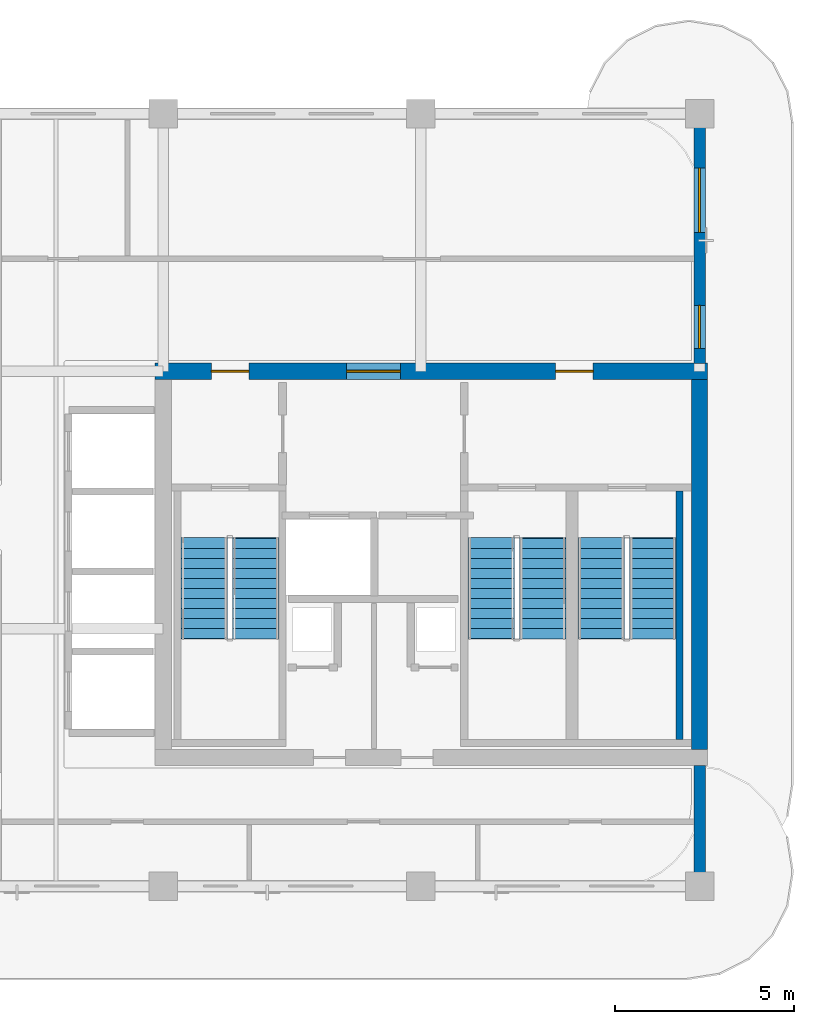
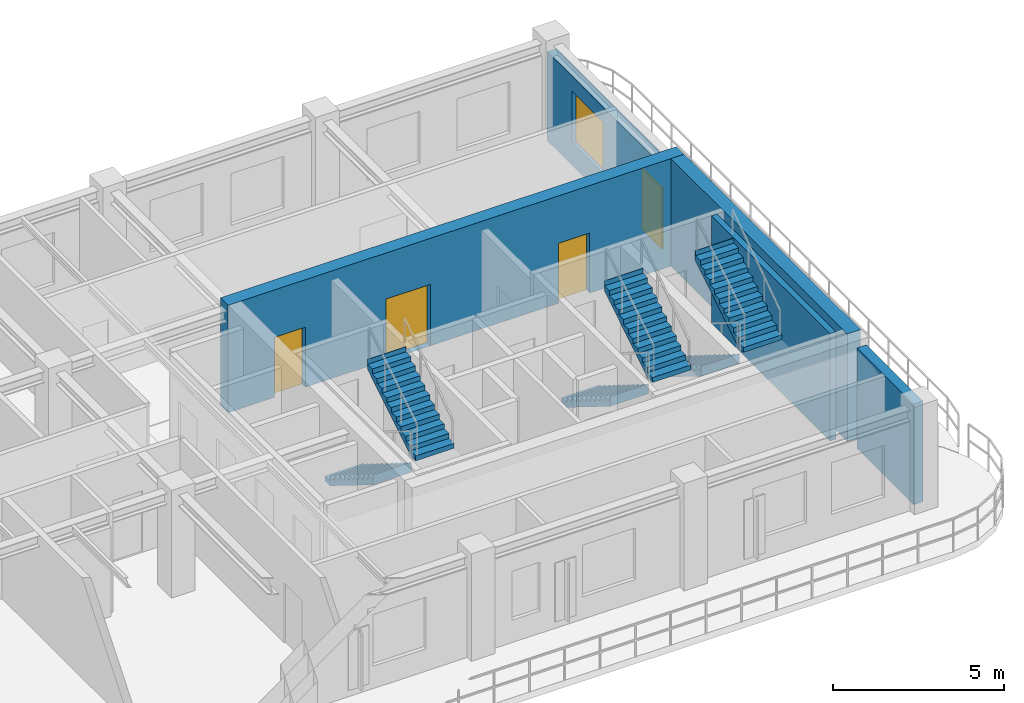
# One storey, part 5 of 8: 6 stair flights, 5 walls, 4 doors, 1 window, 5 openings, 3 elements without a shape of their own.
"""IFC4 building model written with IfcOpenShell, lengths in metres."""

from ifc_helpers import new_model, si_unit, derived_unit, direction, frame, frame_2d, origin, place, context, subcontext, project, spatial, polyline, rectangle, outline, extrude, source, transform, mapped, material, layer, layer_set, type_object, type_shapes, element, fill, aggregate, save


model = new_model("IFC4")

# Units and contexts
model_context = context("Model", 3, precision=1e-05, world=origin(), true_north=direction((0.0, 1.0)))
body_context = subcontext(model_context, "Body", "Model", "MODEL_VIEW")
ifc_project = project(units=[si_unit("LENGTHUNIT", "METRE"), si_unit("AREAUNIT", "SQUARE_METRE"), si_unit("VOLUMEUNIT", "CUBIC_METRE"), si_unit("PLANEANGLEUNIT", "RADIAN"), si_unit("MASSUNIT", "GRAM", prefix="KILO"), si_unit("THERMODYNAMICTEMPERATUREUNIT", "KELVIN"), si_unit("POWERUNIT", "WATT"), derived_unit("THERMALTRANSMITTANCEUNIT", [(si_unit("POWERUNIT", "WATT"), 1), (si_unit("AREAUNIT", "SQUARE_METRE"), -1), (si_unit("THERMODYNAMICTEMPERATUREUNIT", "KELVIN"), -1)])], contexts=[model_context])

# Site, building, storey
site_placement = place(None, origin())
site = spatial("IfcSite", under=ifc_project, at=site_placement, CompositionType="ELEMENT")
building_placement = place(site_placement, origin())
building = spatial("IfcBuilding", under=site, at=building_placement, Name="Zahravan Archway Hotel and Residences", CompositionType="ELEMENT")
storey_placement = place(building_placement, frame((0.0, 0.0, 263.5)))
storey = spatial("IfcBuildingStorey", under=building, at=storey_placement, Name="L66", CompositionType="ELEMENT", Elevation=263.5)

# Wall, openings, doors
ifc_material_1 = material(Name="Concrete C50/60", Category="concrete")
ifc_layer_1 = layer(ifc_material_1, 0.449951171875, Name="Concrete C50/60", Category="concrete")
ifc_layer_set_1 = layer_set([ifc_layer_1], Name="Concrete C50/60")
wall_type_1 = type_object("IfcWallType", Name="CW-CORE-450", PredefinedType="SHEAR", material=ifc_layer_set_1)
wall_1_placement = place(storey_placement, frame((34.574951171875, 14.39990234375, 0.0), z_axis=(0.0, 0.0, 1.0), x_axis=(1.0, 0.0, 0.0)))
wall_1 = element("IfcWall", 1, at=wall_1_placement, inside=storey, type_object=wall_type_1, Name="L66 Core A Shear N Wall 450 mm", PredefinedType="SHEAR", context=body_context, shape_type="SweptSolid", body=[
    extrude(rectangle(XDim=15.449951171875, YDim=0.449951171875, at=frame_2d((7.72509765625, 0.0))), origin(), (0.0, 0.0, 1.0), 3.85009765625),
])
opening_1_placement = place(wall_1_placement, frame((5.35498046875, 0.0, 0.0)))
opening_1 = element("IfcOpeningElement", 2, at=opening_1_placement, cuts=wall_1, Name="Opening FD-L1", PredefinedType="OPENING", context=body_context, shape_type="SweptSolid", body=[
    extrude(rectangle(XDim=1.5, YDim=2.199951171875, at=frame_2d((0.75, 1.10009765625))), frame((0.0, 0.23486328125, 0.0), z_axis=(0.0, -1.0, 0.0), x_axis=(1.0, 0.0, 0.0)), (0.0, 0.0, 1.0), 0.469970703125),
])
opening_2_placement = place(wall_1_placement, frame((1.570068359375, 0.0, 0.0)))
opening_2 = element("IfcOpeningElement", 3, at=opening_2_placement, cuts=wall_1, Name="Opening FD-L2", PredefinedType="OPENING", context=body_context, shape_type="SweptSolid", body=[
    extrude(rectangle(XDim=1.050048828125, YDim=2.14990234375, at=frame_2d((0.52490234375, 1.074951171875))), frame((0.0, 0.23486328125, 0.0), z_axis=(0.0, -1.0, 0.0), x_axis=(1.0, 0.0, 0.0)), (0.0, 0.0, 1.0), 0.469970703125),
])
opening_3_placement = place(wall_1_placement, frame((11.199951171875, 0.0, 0.0)))
opening_3 = element("IfcOpeningElement", 4, at=opening_3_placement, cuts=wall_1, Name="Opening FD-L2", PredefinedType="OPENING", context=body_context, shape_type="SweptSolid", body=[
    extrude(rectangle(XDim=1.050048828125, YDim=2.14990234375, at=frame_2d((0.52490234375, 1.074951171875))), frame((0.0, 0.23486328125, 0.0), z_axis=(0.0, -1.0, 0.0), x_axis=(1.0, 0.0, 0.0)), (0.0, 0.0, 1.0), 0.469970703125),
])
ifc_material_2 = material(Name="Fire-Rated Painted Steel", Category="steel")
door_type_1 = type_object("IfcDoorType", Name="FD-LOBBY-1100", OperationType="NOTDEFINED", PredefinedType="DOOR", material=ifc_material_2)
shared_shape_1 = source(origin(), body_context, "Body", "SweptSolid", [
    extrude(rectangle(XDim=1.050048828125, YDim=2.14990234375, at=frame_2d((0.52490234375, 1.074951171875))), frame((0.0, 0.02490234375, 0.0), z_axis=(0.0, -1.0, 0.0), x_axis=(1.0, 0.0, 0.0)), (0.0, 0.0, 1.0), 0.050048828125),
])
type_shapes(door_type_1, [shared_shape_1])
door_1_placement = place(opening_2_placement, origin())
door_1 = element("IfcDoor", 5, at=door_1_placement, inside=storey, type_object=door_type_1, Name="L66 Core A West Stair Lobby Door", OperationType="SINGLE_SWING_RIGHT", OverallHeight=2.14990234375, OverallWidth=1.050048828125, PredefinedType="DOOR", context=body_context, shape_type="MappedRepresentation", body=[
    mapped(shared_shape_1, transform((0.0, 0.0, 0.0), scale=1.0)),
])
fill(opening_2, door_1)
door_2_placement = place(opening_3_placement, origin())
door_2 = element("IfcDoor", 6, at=door_2_placement, inside=storey, type_object=door_type_1, Name="L66 Core A East Stair Lobby Door", OperationType="SINGLE_SWING_LEFT", OverallHeight=2.14990234375, OverallWidth=1.050048828125, PredefinedType="DOOR", context=body_context, shape_type="MappedRepresentation", body=[
    mapped(shared_shape_1, transform((0.0, 0.0, 0.0), scale=1.0)),
])
fill(opening_3, door_2)
door_type_2 = type_object("IfcDoorType", Name="FD-LOBBY-1500", OperationType="DOUBLE_DOOR_SINGLE_SWING", PredefinedType="DOOR", material=ifc_material_2)
shared_shape_2 = source(origin(), body_context, "Body", "SweptSolid", [
    extrude(rectangle(XDim=1.5, YDim=2.199951171875, at=frame_2d((0.75, 1.10009765625))), frame((0.0, 0.02490234375, 0.0), z_axis=(0.0, -1.0, 0.0), x_axis=(1.0, 0.0, 0.0)), (0.0, 0.0, 1.0), 0.050048828125),
])
type_shapes(door_type_2, [shared_shape_2])
door_3_placement = place(opening_1_placement, origin())
door_3 = element("IfcDoor", 7, at=door_3_placement, inside=storey, type_object=door_type_2, Name="L66 Core A FSAE Lobby Main Door", OperationType="DOUBLE_DOOR_SINGLE_SWING", OverallHeight=2.199951171875, OverallWidth=1.5, PredefinedType="DOOR", context=body_context, shape_type="MappedRepresentation", body=[
    mapped(shared_shape_2, transform((0.0, 0.0, 0.0), scale=1.0)),
])
fill(opening_1, door_3)

# Walls
wall_2_placement = place(storey_placement, frame((49.800048828125, 3.824951171875, 0.0), z_axis=(0.0, 0.0, 1.0), x_axis=(0.0, 1.0, 0.0)))
element("IfcWall", 8, at=wall_2_placement, inside=storey, type_object=wall_type_1, Name="L66 Core A Shear E Wall 450 mm", PredefinedType="SHEAR", context=body_context, shape_type="SweptSolid", body=[
    extrude(rectangle(XDim=10.35009765625, YDim=0.449951171875, at=frame_2d((5.175048828125, 0.0))), origin(), (0.0, 0.0, 1.0), 3.85009765625),
])
ifc_material_3 = material(Name="Agra Buff Sandstone & Insulated Backup", Category="masonry")
ifc_layer_2 = layer(ifc_material_3, 0.320068359375, Name="Agra Buff Sandstone & Insulated Backup", Category="masonry")
ifc_layer_set_2 = layer_set([ifc_layer_2], Name="Agra Buff Sandstone & Insulated Backup")
wall_type_2 = type_object("IfcWallType", Name="EW-SAND-320", PredefinedType="SOLIDWALL", material=ifc_layer_set_2)
wall_3_placement = place(storey_placement, frame((49.800048828125, 0.050048828125, 0.0), z_axis=(0.0, 0.0, 1.0), x_axis=(0.0, 1.0, 0.0)))
element("IfcWall", 9, at=wall_3_placement, inside=storey, type_object=wall_type_2, Name="L66 Exterior Sandstone Wall WA-ES", PredefinedType="SOLIDWALL", context=body_context, shape_type="SweptSolid", body=[
    extrude(rectangle(XDim=3.329833984375, YDim=0.320068359375, at=frame_2d((1.6650390625, 0.0))), origin(), (0.0, 0.0, 1.0), 3.60009765625),
])

# Wall, openings, door, window
wall_4_placement = place(storey_placement, frame((49.800048828125, 14.6201171875, 0.0), z_axis=(0.0, 0.0, 1.0), x_axis=(0.0, 1.0, 0.0)))
wall_4 = element("IfcWall", 10, at=wall_4_placement, inside=storey, type_object=wall_type_2, Name="L66 Exterior Sandstone Wall WA-EN", PredefinedType="SOLIDWALL", context=body_context, shape_type="SweptSolid", body=[
    extrude(rectangle(XDim=6.929931640625, YDim=0.320068359375, at=frame_2d((3.46484375, 0.0))), origin(), (0.0, 0.0, 1.0), 3.18505859375),
])
opening_4_placement = place(wall_4_placement, frame((0.419921875, 0.0, 0.0)))
opening_4 = element("IfcOpeningElement", 11, at=opening_4_placement, cuts=wall_4, Name="Opening ED-BL1", PredefinedType="OPENING", context=body_context, shape_type="SweptSolid", body=[
    extrude(rectangle(XDim=1.199951171875, YDim=2.199951171875, at=frame_2d((0.60009765625, 1.10009765625))), frame((0.0, 0.169921875, 0.0), z_axis=(0.0, -1.0, 0.0), x_axis=(1.0, 0.0, 0.0)), (0.0, 0.0, 1.0), 0.340087890625),
])
opening_5_placement = place(wall_4_placement, frame((3.658935546875, 0.0, 0.800048828125)))
opening_5 = element("IfcOpeningElement", 12, at=opening_5_placement, cuts=wall_4, Name="Opening W-02", PredefinedType="OPENING", context=body_context, shape_type="SweptSolid", body=[
    extrude(rectangle(XDim=1.800048828125, YDim=1.85009765625, at=frame_2d((0.89990234375, 0.925048828125))), frame((0.0, 0.169921875, 0.0), z_axis=(0.0, -1.0, 0.0), x_axis=(1.0, 0.0, 0.0)), (0.0, 0.0, 1.0), 0.340087890625),
])
ifc_material_4 = material(Name="Bronze-Anodized Glazed Aluminium", Category="aluminium")
door_type_3 = type_object("IfcDoorType", Name="ED-BALC-1200", OperationType="SLIDING_TO_LEFT", PredefinedType="DOOR", material=ifc_material_4)
shared_shape_3 = source(origin(), body_context, "Body", "SweptSolid", [
    extrude(rectangle(XDim=1.199951171875, YDim=2.199951171875, at=frame_2d((0.60009765625, 1.10009765625))), frame((0.0, 0.02490234375, 0.0), z_axis=(0.0, -1.0, 0.0), x_axis=(1.0, 0.0, 0.0)), (0.0, 0.0, 1.0), 0.050048828125),
])
type_shapes(door_type_3, [shared_shape_3])
door_4_placement = place(opening_4_placement, origin())
door_4 = element("IfcDoor", 13, at=door_4_placement, inside=storey, type_object=door_type_3, Name="L66 Outdoor Access Sliding Door (SLB-BAL-L66-EA)", OperationType="SLIDING_TO_LEFT", OverallHeight=2.199951171875, OverallWidth=1.199951171875, PredefinedType="DOOR", context=body_context, shape_type="MappedRepresentation", body=[
    mapped(shared_shape_3, transform((0.0, 0.0, 0.0), scale=1.0)),
])
fill(opening_4, door_4)
ifc_material_5 = material(Name="Bronze-Anodized Thermal-Break Aluminium & Low-E Glass", Category="aluminium")
window_type = type_object("IfcWindowType", Name="WIN-TWR-1800", PartitioningType="DOUBLE_PANEL_VERTICAL", PredefinedType="WINDOW", material=ifc_material_5)
shared_shape_4 = source(origin(), body_context, "Body", "SweptSolid", [
    extrude(rectangle(XDim=1.800048828125, YDim=1.85009765625, at=frame_2d((0.89990234375, 0.925048828125))), frame((0.0, 0.030029296875, 0.0), z_axis=(0.0, -1.0, 0.0), x_axis=(1.0, 0.0, 0.0)), (0.0, 0.0, 1.0), 0.06005859375),
])
type_shapes(window_type, [shared_shape_4])
window_placement = place(opening_5_placement, origin())
window = element("IfcWindow", 14, at=window_placement, inside=storey, type_object=window_type, Name="L66 Loggia Window 08", OverallHeight=1.85009765625, OverallWidth=1.800048828125, PartitioningType="DOUBLE_PANEL_VERTICAL", PredefinedType="WINDOW", context=body_context, shape_type="MappedRepresentation", body=[
    mapped(shared_shape_4, transform((0.0, 0.0, 0.0), scale=1.0)),
])
fill(opening_5, window)

# Wall
ifc_layer_3 = layer(ifc_material_1, 0.199951171875, Name="Concrete C50/60", Category="concrete")
ifc_layer_set_3 = layer_set([ifc_layer_3], Name="Concrete C50/60")
wall_type_3 = type_object("IfcWallType", Name="SW-STAIR-200", PredefinedType="SHEAR", material=ifc_layer_set_3)
wall_5_placement = place(storey_placement, frame((49.239990234375, 4.10009765625, 0.0), z_axis=(0.0, 0.0, 1.0), x_axis=(0.0, 1.0, 0.0)))
element("IfcWall", 15, at=wall_5_placement, inside=storey, type_object=wall_type_3, Name="L66 Stairwell RC Wall CA-SA3E", PredefinedType="SHEAR", context=body_context, shape_type="SweptSolid", body=[
    extrude(rectangle(XDim=6.949951171875, YDim=0.199951171875, at=frame_2d((3.47509765625, 0.0))), origin(), (0.0, 0.0, 1.0), 3.85009765625),
])

# Stair, stair flights
stair_type = type_object("IfcStairType", Name="STR-CORE-1300", PredefinedType="HALF_TURN_STAIR", material=ifc_material_1)
stair_1_placement = place(storey_placement, origin())
stair_1 = element("IfcStair", 16, at=stair_1_placement, inside=storey, type_object=stair_type, Name="L66 Core A Exit Stair 1", PredefinedType="HALF_TURN_STAIR")
ifc_layer_4 = layer(ifc_material_1, 0.199951171875, Name="Concrete C50/60", Category="concrete")
ifc_layer_set_4 = layer_set([ifc_layer_4], Name="Concrete C50/60")
stair_flight_type = type_object("IfcStairFlightType", Name="SFL-CORE-1300", PredefinedType="STRAIGHT", material=ifc_layer_set_4)
shared_shape_5 = source(origin(), body_context, "Body", "SweptSolid", [
    extrude(outline(polyline([(-0.01611328125, 0.0), (-0.01611328125, 0.175048828125), (0.280029296875, 0.175048828125), (0.280029296875, 0.35009765625), (0.56005859375, 0.35009765625), (0.56005859375, 0.52490234375), (0.840087890625, 0.52490234375), (0.840087890625, 0.699951171875), (1.1201171875, 0.699951171875), (1.1201171875, 0.875), (1.39990234375, 0.875), (1.39990234375, 1.050048828125), (1.679931640625, 1.050048828125), (1.679931640625, 1.22509765625), (1.9599609375, 1.22509765625), (1.9599609375, 1.39990234375), (2.239990234375, 1.39990234375), (2.239990234375, 1.574951171875), (2.52001953125, 1.574951171875), (2.52001953125, 1.75), (2.800048828125, 1.75), (2.800048828125, 1.925048828125), (2.816162109375, 1.925048828125), (2.816162109375, 1.5732421875), (0.28271484375, 0.0), (-0.01611328125, 0.0)])), frame((0.0, 0.64990234375, 0.0), z_axis=(0.0, -1.0, 0.0), x_axis=(1.0, 0.0, 0.0)), (0.0, 0.0, 1.0), 1.300048828125),
])
stair_flight_1_placement = place(storey_placement, frame((35.949951171875, 9.72998046875, 0.0), z_axis=(0.0, 0.0, 1.0), x_axis=(0.0, -1.0, 0.0)))
stair_flight_1 = element("IfcStairFlight", 17, at=stair_flight_1_placement, type_object=stair_flight_type, Name="ST-A1 flight 1", NumberOfRisers=11, NumberOfTreads=10, PredefinedType="STRAIGHT", RiserHeight=0.175, TreadLength=0.28, context=body_context, shape_type="MappedRepresentation", body=[
    mapped(shared_shape_5, transform((0.0, 0.0, 0.0), scale=1.0)),
])
stair_flight_2_placement = place(storey_placement, frame((37.389892578125, 6.929931640625, 1.925048828125), z_axis=(0.0, 0.0, 1.0), x_axis=(0.0, 1.0, 0.0)))
stair_flight_2 = element("IfcStairFlight", 18, at=stair_flight_2_placement, type_object=stair_flight_type, Name="ST-A1 flight 2", NumberOfRisers=11, NumberOfTreads=10, PredefinedType="STRAIGHT", RiserHeight=0.175, TreadLength=0.28, context=body_context, shape_type="MappedRepresentation", body=[
    mapped(shared_shape_5, transform((0.0, 0.0, 0.0), scale=1.0)),
])
aggregate(stair_1, [stair_flight_1, stair_flight_2])

stair_2_placement = place(storey_placement, origin())
stair_2 = element("IfcStair", 19, at=stair_2_placement, inside=storey, type_object=stair_type, Name="L66 Core A Exit Stair 2", PredefinedType="HALF_TURN_STAIR")
stair_flight_3_placement = place(storey_placement, frame((43.969970703125, 9.72998046875, 0.0), z_axis=(0.0, 0.0, 1.0), x_axis=(0.0, -1.0, 0.0)))
stair_flight_3 = element("IfcStairFlight", 20, at=stair_flight_3_placement, type_object=stair_flight_type, Name="ST-A2 flight 1", NumberOfRisers=11, NumberOfTreads=10, PredefinedType="STRAIGHT", RiserHeight=0.175, TreadLength=0.28, context=body_context, shape_type="MappedRepresentation", body=[
    mapped(shared_shape_5, transform((0.0, 0.0, 0.0), scale=1.0)),
])
stair_flight_4_placement = place(storey_placement, frame((45.409912109375, 6.929931640625, 1.925048828125), z_axis=(0.0, 0.0, 1.0), x_axis=(0.0, 1.0, 0.0)))
stair_flight_4 = element("IfcStairFlight", 21, at=stair_flight_4_placement, type_object=stair_flight_type, Name="ST-A2 flight 2", NumberOfRisers=11, NumberOfTreads=10, PredefinedType="STRAIGHT", RiserHeight=0.175, TreadLength=0.28, context=body_context, shape_type="MappedRepresentation", body=[
    mapped(shared_shape_5, transform((0.0, 0.0, 0.0), scale=1.0)),
])
aggregate(stair_2, [stair_flight_3, stair_flight_4])

stair_3_placement = place(storey_placement, origin())
stair_3 = element("IfcStair", 22, at=stair_3_placement, inside=storey, type_object=stair_type, Name="L66 Core A Exit Stair 3", PredefinedType="HALF_TURN_STAIR")
stair_flight_5_placement = place(storey_placement, frame((47.050048828125, 9.72998046875, 0.0), z_axis=(0.0, 0.0, 1.0), x_axis=(0.0, -1.0, 0.0)))
stair_flight_5 = element("IfcStairFlight", 23, at=stair_flight_5_placement, type_object=stair_flight_type, Name="ST-A3 flight 1", NumberOfRisers=11, NumberOfTreads=10, PredefinedType="STRAIGHT", RiserHeight=0.175, TreadLength=0.28, context=body_context, shape_type="MappedRepresentation", body=[
    mapped(shared_shape_5, transform((0.0, 0.0, 0.0), scale=1.0)),
])
stair_flight_6_placement = place(storey_placement, frame((48.489990234375, 6.929931640625, 1.925048828125), z_axis=(0.0, 0.0, 1.0), x_axis=(0.0, 1.0, 0.0)))
stair_flight_6 = element("IfcStairFlight", 24, at=stair_flight_6_placement, type_object=stair_flight_type, Name="ST-A3 flight 2", NumberOfRisers=11, NumberOfTreads=10, PredefinedType="STRAIGHT", RiserHeight=0.175, TreadLength=0.28, context=body_context, shape_type="MappedRepresentation", body=[
    mapped(shared_shape_5, transform((0.0, 0.0, 0.0), scale=1.0)),
])
aggregate(stair_3, [stair_flight_5, stair_flight_6])

save(model, "model.ifc")
